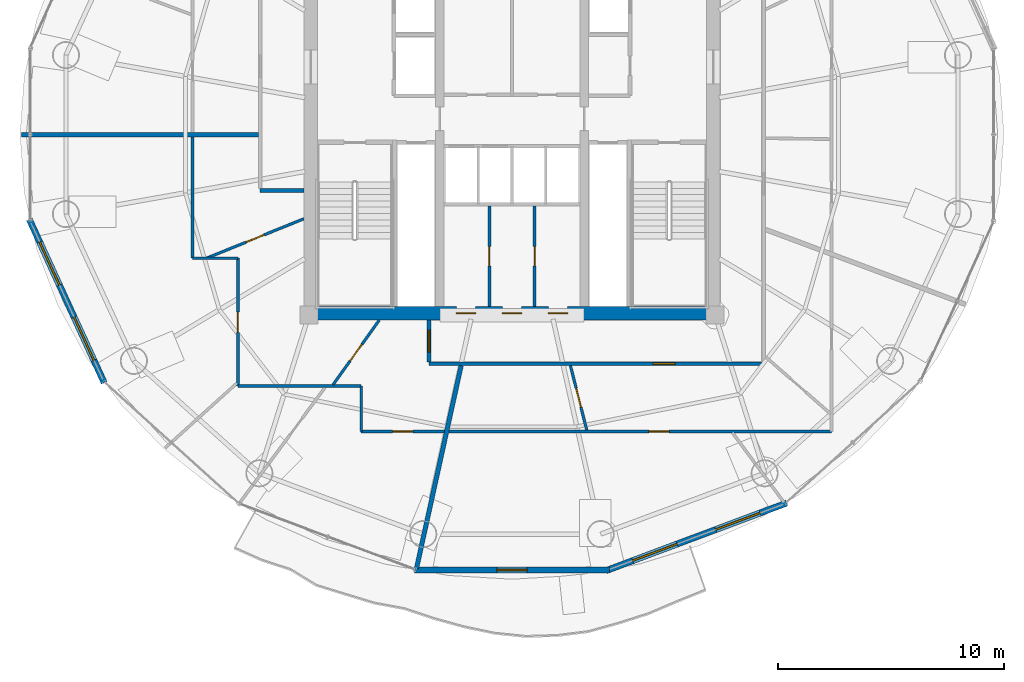
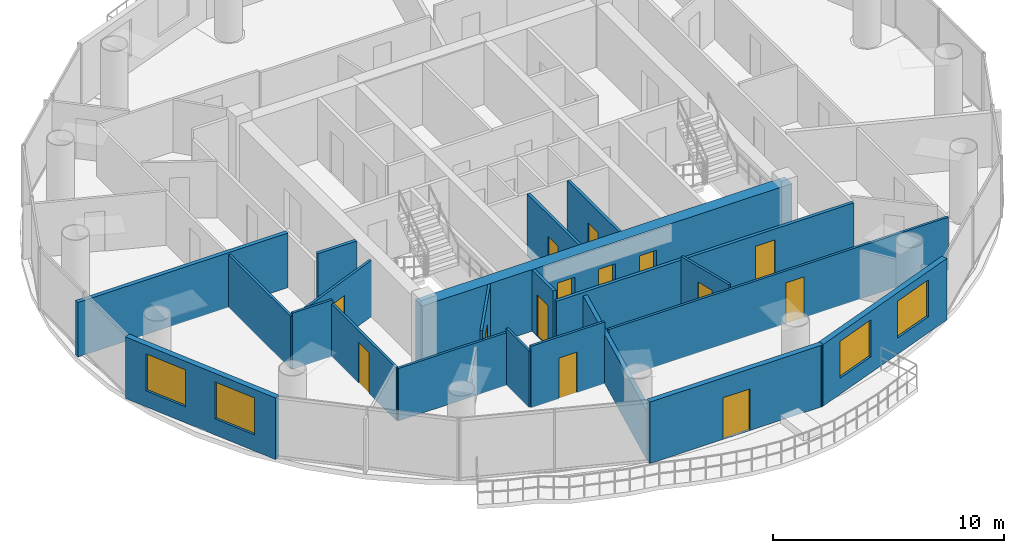
# One storey, part 20 of 26: 21 walls, 14 doors, 4 windows, 18 openings.
"""IFC4 building model written with IfcOpenShell, lengths in metres."""

from ifc_helpers import new_model, si_unit, direction, frame, frame_2d, origin, place, context, subcontext, project, spatial, rectangle, extrude, source, transform, mapped, material, layer, layer_set, type_object, element, fill, save


model = new_model("IFC4")

# Units and contexts
model_context = context("Model", 3, precision=1e-05, world=origin(), true_north=direction((-0.2419218956, 0.970295726276)))
body_context = subcontext(model_context, "Body", "Model", "MODEL_VIEW")
ifc_project = project(units=[si_unit("LENGTHUNIT", "METRE"), si_unit("AREAUNIT", "SQUARE_METRE"), si_unit("VOLUMEUNIT", "CUBIC_METRE"), si_unit("PLANEANGLEUNIT", "RADIAN"), si_unit("MASSUNIT", "GRAM", prefix="KILO")], contexts=[model_context])

# Site, building, storey
site_placement = place(None, origin())
site = spatial("IfcSite", under=ifc_project, at=site_placement, CompositionType="ELEMENT")
building_placement = place(site_placement, origin())
building = spatial("IfcBuilding", under=site, at=building_placement, Name="Cobrevalo Terracotta Tower", CompositionType="ELEMENT")
storey_placement = place(building_placement, frame((0.0, 0.0, 239.300048828125)))
storey = spatial("IfcBuildingStorey", under=building, at=storey_placement, Name="L63", CompositionType="ELEMENT", Elevation=239.300048828125)

# Wall, openings, doors
ifc_material_1 = material(Name="Concrete C55", Category="concrete")
ifc_layer_1 = layer(ifc_material_1, 0.60009765625)
ifc_layer_set_1 = layer_set([ifc_layer_1], Name="Concrete C55")
wall_type_1 = type_object("IfcWallType", Name="Core shear wall 600 mm Concrete C55", PredefinedType="SHEAR", material=ifc_layer_set_1)
wall_1_placement = place(storey_placement, frame((28.77490234375, 18.875, 0.0), z_axis=(0.0, 0.0, 1.0), x_axis=(1.0, 0.0, 0.0)))
wall_1 = element("IfcWall", 1, at=wall_1_placement, inside=storey, type_object=wall_type_1, Name="L63 south core shear wall", PredefinedType="SHEAR", context=body_context, shape_type="SweptSolid", body=[
    extrude(rectangle(XDim=18.4501953125, YDim=0.60009765625, at=frame_2d((9.22509765625, 0.0))), origin(), (0.0, 0.0, 1.0), 3.25),
])
opening_1_placement = place(wall_1_placement, frame((6.760009765625, 0.0, 0.0)))
opening_1 = element("IfcOpeningElement", 2, at=opening_1_placement, cuts=wall_1, Name="Opening ID-22", PredefinedType="OPENING", context=body_context, shape_type="SweptSolid", body=[
    extrude(rectangle(XDim=0.85009765625, YDim=2.10009765625, at=frame_2d((0.425048828125, 1.050048828125))), frame((0.0, 0.31005859375, 0.0), z_axis=(0.0, -1.0, 0.0), x_axis=(1.0, 0.0, 0.0)), (0.0, 0.0, 1.0), 0.6201171875),
])
opening_2_placement = place(wall_1_placement, frame((8.800048828125, 0.0, 0.0)))
opening_2 = element("IfcOpeningElement", 3, at=opening_2_placement, cuts=wall_1, Name="Opening ID-22", PredefinedType="OPENING", context=body_context, shape_type="SweptSolid", body=[
    extrude(rectangle(XDim=0.85009765625, YDim=2.10009765625, at=frame_2d((0.425048828125, 1.050048828125))), frame((0.0, 0.31005859375, 0.0), z_axis=(0.0, -1.0, 0.0), x_axis=(1.0, 0.0, 0.0)), (0.0, 0.0, 1.0), 0.6201171875),
])
opening_3_placement = place(wall_1_placement, frame((10.840087890625, 0.0, 0.0)))
opening_3 = element("IfcOpeningElement", 4, at=opening_3_placement, cuts=wall_1, Name="Opening ID-22", PredefinedType="OPENING", context=body_context, shape_type="SweptSolid", body=[
    extrude(rectangle(XDim=0.85009765625, YDim=2.10009765625, at=frame_2d((0.425048828125, 1.050048828125))), frame((0.0, 0.31005859375, 0.0), z_axis=(0.0, -1.0, 0.0), x_axis=(1.0, 0.0, 0.0)), (0.0, 0.0, 1.0), 0.6201171875),
])
ifc_material_2 = material(Name="Powder-coated steel", Category="steel")
door_type_1 = type_object("IfcDoorType", Name="Riser shaft & meter closet fire access door 850x2100 EI 60", OperationType="NOTDEFINED", PredefinedType="DOOR", material=ifc_material_2)
shared_shape_1 = source(origin(), body_context, "Body", "SweptSolid", [
    extrude(rectangle(XDim=0.85009765625, YDim=2.10009765625, at=frame_2d((0.425048828125, 1.050048828125))), frame((0.0, 0.02490234375, 0.0), z_axis=(0.0, -1.0, 0.0), x_axis=(1.0, 0.0, 0.0)), (0.0, 0.0, 1.0), 0.050048828125),
])
door_1_placement = place(opening_1_placement, origin())
door_1 = element("IfcDoor", 5, at=door_1_placement, inside=storey, type_object=door_type_1, Name="L63 core south plant door HVAC Supply Air Plant", OperationType="SINGLE_SWING_RIGHT", OverallHeight=2.10009765625, OverallWidth=0.85009765625, PredefinedType="DOOR", context=body_context, shape_type="MappedRepresentation", body=[
    mapped(shared_shape_1, transform((0.0, 0.0, 0.0), scale=1.0)),
])
fill(opening_1, door_1)
door_2_placement = place(opening_2_placement, origin())
door_2 = element("IfcDoor", 6, at=door_2_placement, inside=storey, type_object=door_type_1, Name="L63 core south plant door Refuse Chute Store Room", OperationType="SINGLE_SWING_RIGHT", OverallHeight=2.10009765625, OverallWidth=0.85009765625, PredefinedType="DOOR", context=body_context, shape_type="MappedRepresentation", body=[
    mapped(shared_shape_1, transform((0.0, 0.0, 0.0), scale=1.0)),
])
fill(opening_2, door_2)
door_3_placement = place(opening_3_placement, origin())
door_3 = element("IfcDoor", 7, at=door_3_placement, inside=storey, type_object=door_type_1, Name="L63 core south plant door Hydronic Pump Manifold Plant", OperationType="SINGLE_SWING_RIGHT", OverallHeight=2.10009765625, OverallWidth=0.85009765625, PredefinedType="DOOR", context=body_context, shape_type="MappedRepresentation", body=[
    mapped(shared_shape_1, transform((0.0, 0.0, 0.0), scale=1.0)),
])
fill(opening_3, door_3)

# Wall
ifc_material_3 = material(Name="Gypsum board on steel stud", Category="steel")
ifc_layer_2 = layer(ifc_material_3, 0.159912109375)
ifc_layer_set_2 = layer_set([ifc_layer_2], Name="Gypsum board on steel stud")
wall_type_2 = type_object("IfcWallType", Name="Fire-rated corridor acoustic partition wall 160 mm", PredefinedType="PARTITIONING", material=ifc_layer_set_2)
wall_2_placement = place(storey_placement, frame((26.844970703125, 24.320068359375, 0.0), z_axis=(0.0, 0.0, 1.0), x_axis=(1.0, 0.0, 0.0)))
element("IfcWall", 8, at=wall_2_placement, inside=storey, type_object=wall_type_2, Name="L63 interior partition IW-L63-COR-WS-CAP", PredefinedType="PARTITIONING", context=body_context, shape_type="SweptSolid", body=[
    extrude(rectangle(XDim=1.929931640625, YDim=0.159912109375, at=frame_2d((0.96484375, 0.0))), origin(), (0.0, 0.0, 1.0), 3.25),
])

# Wall, opening, door
wall_3_placement = place(storey_placement, frame((34.320068359375, 16.64501953125, 0.0), z_axis=(0.0, 0.0, 1.0), x_axis=(1.0, 0.0, 0.0)))
wall_3 = element("IfcWall", 9, at=wall_3_placement, inside=storey, type_object=wall_type_2, Name="L63 interior partition IW-L63-COR-S", PredefinedType="PARTITIONING", context=body_context, shape_type="SweptSolid", body=[
    extrude(rectangle(XDim=14.8349609375, YDim=0.159912109375, at=frame_2d((7.41748046875, 0.0))), origin(), (0.0, 0.0, 1.0), 2.77490234375),
])
opening_4_placement = place(wall_3_placement, frame((9.927734375, 0.0, 0.0)))
opening_4 = element("IfcOpeningElement", 10, at=opening_4_placement, cuts=wall_3, Name="Opening ID-05", PredefinedType="OPENING", context=body_context, shape_type="SweptSolid", body=[
    extrude(rectangle(XDim=0.97998046875, YDim=2.199951171875, at=frame_2d((0.489990234375, 1.10009765625))), frame((0.0, 0.08984375, 0.0), z_axis=(0.0, -1.0, 0.0), x_axis=(1.0, 0.0, 0.0)), (0.0, 0.0, 1.0), 0.179931640625),
])
ifc_material_4 = material(Name="Solid hardwood timber", Category="wood")
door_type_2 = type_object("IfcDoorType", Name="Residence entrance fire-rated acoustic timber door 980x2200 EI 60", OperationType="NOTDEFINED", PredefinedType="DOOR", material=ifc_material_4)
shared_shape_2 = source(origin(), body_context, "Body", "SweptSolid", [
    extrude(rectangle(XDim=0.97998046875, YDim=2.199951171875, at=frame_2d((0.489990234375, 1.10009765625))), frame((0.0, 0.02490234375, 0.0), z_axis=(0.0, -1.0, 0.0), x_axis=(1.0, 0.0, 0.0)), (0.0, 0.0, 1.0), 0.050048828125),
])
door_4_placement = place(opening_4_placement, frame((0.97998046875, 0.0, 0.0), z_axis=(0.0, 0.0, 1.0), x_axis=(-1.0, 0.0, 0.0)))
door_4 = element("IfcDoor", 11, at=door_4_placement, inside=storey, type_object=door_type_2, Name="Flat L63D fire-rated apartment entrance door", OperationType="SINGLE_SWING_LEFT", OverallHeight=2.199951171875, OverallWidth=0.97998046875, PredefinedType="DOOR", context=body_context, shape_type="MappedRepresentation", body=[
    mapped(shared_shape_2, transform((0.0, 0.0, 0.0), scale=1.0)),
])
fill(opening_4, door_4)

wall_4_placement = place(storey_placement, frame((34.320068359375, 16.72509765625, 0.0), z_axis=(0.0, 0.0, 1.0), x_axis=(0.0, 1.0, 0.0)))
wall_4 = element("IfcWall", 12, at=wall_4_placement, inside=storey, type_object=wall_type_2, Name="L63 interior partition IW-L63-COR-SW-CAP", PredefinedType="PARTITIONING", context=body_context, shape_type="SweptSolid", body=[
    extrude(rectangle(XDim=1.849853515625, YDim=0.159912109375, at=frame_2d((0.9248046875, 0.0))), origin(), (0.0, 0.0, 1.0), 3.25),
])
opening_5_placement = place(wall_4_placement, frame((0.43505859375, 0.0, 0.0)))
opening_5 = element("IfcOpeningElement", 13, at=opening_5_placement, cuts=wall_4, Name="Opening ID-05", PredefinedType="OPENING", context=body_context, shape_type="SweptSolid", body=[
    extrude(rectangle(XDim=0.97998046875, YDim=2.199951171875, at=frame_2d((0.489990234375, 1.10009765625))), frame((0.0, 0.08984375, 0.0), z_axis=(0.0, -1.0, 0.0), x_axis=(1.0, 0.0, 0.0)), (0.0, 0.0, 1.0), 0.179931640625),
])
door_5_placement = place(opening_5_placement, origin())
door_5 = element("IfcDoor", 14, at=door_5_placement, inside=storey, type_object=door_type_2, Name="Flat L63C fire-rated apartment entrance door", OperationType="SINGLE_SWING_LEFT", OverallHeight=2.199951171875, OverallWidth=0.97998046875, PredefinedType="DOOR", context=body_context, shape_type="MappedRepresentation", body=[
    mapped(shared_shape_2, transform((0.0, 0.0, 0.0), scale=1.0)),
])
fill(opening_5, door_5)

# Walls
ifc_material_5 = material(Name="Autoclaved aerated concrete block", Category="concrete")
ifc_layer_3 = layer(ifc_material_5, 0.199951171875)
ifc_layer_set_3 = layer_set([ifc_layer_3], Name="Autoclaved aerated concrete block")
wall_type_3 = type_object("IfcWallType", Name="Fire-rated stair, shaft & demising masonry wall 200 mm", PredefinedType="PARTITIONING", material=ifc_layer_set_3)
wall_5_placement = place(storey_placement, frame((26.764892578125, 26.800048828125, 0.0), z_axis=(0.0, 0.0, 1.0), x_axis=(-1.0, 0.0, 0.0)))
element("IfcWall", 15, at=wall_5_placement, inside=storey, type_object=wall_type_3, Name="L63 interior partition IW-L63-DEM-3", PredefinedType="PARTITIONING", context=body_context, shape_type="SweptSolid", body=[
    extrude(rectangle(XDim=10.5048828125, YDim=0.199951171875, at=frame_2d((5.25244140625, 0.0))), origin(), (0.0, 0.0, 1.0), 2.880859375),
])
wall_6_placement = place(storey_placement, frame((35.7470703125, 16.56494140625, 0.0), z_axis=(0.0, 0.0, 1.0), x_axis=(-0.214957946814, -0.976623305631, 0.0)))
element("IfcWall", 16, at=wall_6_placement, inside=storey, type_object=wall_type_3, Name="L63 interior partition IW-L63-DEM-4", PredefinedType="PARTITIONING", context=body_context, shape_type="SweptSolid", body=[
    extrude(rectangle(XDim=9.201904296875, YDim=0.199951171875, at=frame_2d((4.60107421875, 0.0))), origin(), (0.0, 0.0, 1.0), 2.599853515625),
])

# Wall, openings, windows
ifc_layer_4 = layer(ifc_material_5, 0.280029296875)
ifc_layer_set_4 = layer_set([ifc_layer_4], Name="Autoclaved aerated concrete block")
wall_type_4 = type_object("IfcWallType", Name="Insulated tower spandrel & pier wall 280 mm with terracotta rainscreen", PredefinedType="SOLIDWALL", material=ifc_layer_set_4)
wall_7_placement = place(storey_placement, frame((16.614990234375, 23.035400390625, 0.0), z_axis=(0.0, 0.0, 1.0), x_axis=(0.416717018135, -0.909036262641, 0.0)))
wall_7 = element("IfcWall", 17, at=wall_7_placement, inside=storey, type_object=wall_type_4, Name="L63 terracotta rainscreen pier wall S09", PredefinedType="SOLIDWALL", context=body_context, shape_type="SweptSolid", body=[
    extrude(rectangle(XDim=7.960205078125, YDim=0.280029296875, at=frame_2d((3.97998046875, 0.0))), origin(), (0.0, 0.0, 1.0), 3.25),
])
opening_6_placement = place(wall_7_placement, frame((1.099365234375, 0.0, 0.85009765625)))
opening_6 = element("IfcOpeningElement", 18, at=opening_6_placement, cuts=wall_7, Name="Opening WN-10", PredefinedType="OPENING", context=body_context, shape_type="SweptSolid", body=[
    extrude(rectangle(XDim=2.10009765625, YDim=1.949951171875, at=frame_2d((1.050048828125, 0.97509765625))), frame((0.0, 0.14990234375, 0.0), z_axis=(0.0, -1.0, 0.0), x_axis=(1.0, 0.0, 0.0)), (0.0, 0.0, 1.0), 0.300048828125),
])
opening_7_placement = place(wall_7_placement, frame((4.760986328125, 0.0, 0.85009765625)))
opening_7 = element("IfcOpeningElement", 19, at=opening_7_placement, cuts=wall_7, Name="Opening WN-10", PredefinedType="OPENING", context=body_context, shape_type="SweptSolid", body=[
    extrude(rectangle(XDim=2.10009765625, YDim=1.949951171875, at=frame_2d((1.050048828125, 0.97509765625))), frame((0.0, 0.14990234375, 0.0), z_axis=(0.0, -1.0, 0.0), x_axis=(1.0, 0.0, 0.0)), (0.0, 0.0, 1.0), 0.300048828125),
])
ifc_material_6 = material(Name="Solar-control low-E double glazing", Category="glass")
window_type = type_object("IfcWindowType", Name="Wide panoramic low-E aluminium window 2100x1950", PartitioningType="SINGLE_PANEL", PredefinedType="WINDOW", material=ifc_material_6)
shared_shape_3 = source(origin(), body_context, "Body", "SweptSolid", [
    extrude(rectangle(XDim=2.10009765625, YDim=1.949951171875, at=frame_2d((1.050048828125, 0.97509765625))), frame((0.0, 0.030029296875, 0.0), z_axis=(0.0, -1.0, 0.0), x_axis=(1.0, 0.0, 0.0)), (0.0, 0.0, 1.0), 0.06005859375),
])
window_1_placement = place(opening_6_placement, origin())
window_1 = element("IfcWindow", 20, at=window_1_placement, inside=storey, type_object=window_type, Name="L63 suite window S09A", OverallHeight=1.949951171875, OverallWidth=2.10009765625, PartitioningType="SINGLE_PANEL", PredefinedType="WINDOW", context=body_context, shape_type="MappedRepresentation", body=[
    mapped(shared_shape_3, transform((0.0, 0.0, 0.0), scale=1.0)),
])
fill(opening_6, window_1)
window_2_placement = place(opening_7_placement, origin())
window_2 = element("IfcWindow", 21, at=window_2_placement, inside=storey, type_object=window_type, Name="L63 suite window S09B", OverallHeight=1.949951171875, OverallWidth=2.10009765625, PartitioningType="SINGLE_PANEL", PredefinedType="WINDOW", context=body_context, shape_type="MappedRepresentation", body=[
    mapped(shared_shape_3, transform((0.0, 0.0, 0.0), scale=1.0)),
])
fill(opening_7, window_2)

wall_8_placement = place(storey_placement, frame((42.172119140625, 7.47998046875, 0.0), z_axis=(0.0, 0.0, 1.0), x_axis=(0.936556918375, 0.350515532672, 0.0)))
wall_8 = element("IfcWall", 22, at=wall_8_placement, inside=storey, type_object=wall_type_4, Name="L63 terracotta rainscreen pier wall S13", PredefinedType="SOLIDWALL", context=body_context, shape_type="SweptSolid", body=[
    extrude(rectangle(XDim=8.539306640625, YDim=0.280029296875, at=frame_2d((4.26953125, 0.0))), origin(), (0.0, 0.0, 1.0), 3.25),
])
opening_8_placement = place(wall_8_placement, frame((1.255615234375, 0.0, 0.85009765625)))
opening_8 = element("IfcOpeningElement", 23, at=opening_8_placement, cuts=wall_8, Name="Opening WN-10", PredefinedType="OPENING", context=body_context, shape_type="SweptSolid", body=[
    extrude(rectangle(XDim=2.10009765625, YDim=1.949951171875, at=frame_2d((1.050048828125, 0.97509765625))), frame((0.0, 0.14990234375, 0.0), z_axis=(0.0, -1.0, 0.0), x_axis=(1.0, 0.0, 0.0)), (0.0, 0.0, 1.0), 0.300048828125),
])
opening_9_placement = place(wall_8_placement, frame((5.18359375, 0.0, 0.85009765625)))
opening_9 = element("IfcOpeningElement", 24, at=opening_9_placement, cuts=wall_8, Name="Opening WN-10", PredefinedType="OPENING", context=body_context, shape_type="SweptSolid", body=[
    extrude(rectangle(XDim=2.10009765625, YDim=1.949951171875, at=frame_2d((1.050048828125, 0.97509765625))), frame((0.0, 0.14990234375, 0.0), z_axis=(0.0, -1.0, 0.0), x_axis=(1.0, 0.0, 0.0)), (0.0, 0.0, 1.0), 0.300048828125),
])
window_3_placement = place(opening_8_placement, origin())
window_3 = element("IfcWindow", 25, at=window_3_placement, inside=storey, type_object=window_type, Name="L63 suite window S13A", OverallHeight=1.949951171875, OverallWidth=2.10009765625, PartitioningType="SINGLE_PANEL", PredefinedType="WINDOW", context=body_context, shape_type="MappedRepresentation", body=[
    mapped(shared_shape_3, transform((0.0, 0.0, 0.0), scale=1.0)),
])
fill(opening_8, window_3)
window_4_placement = place(opening_9_placement, origin())
window_4 = element("IfcWindow", 26, at=window_4_placement, inside=storey, type_object=window_type, Name="L63 suite window S13B", OverallHeight=1.949951171875, OverallWidth=2.10009765625, PartitioningType="SINGLE_PANEL", PredefinedType="WINDOW", context=body_context, shape_type="MappedRepresentation", body=[
    mapped(shared_shape_3, transform((0.0, 0.0, 0.0), scale=1.0)),
])
fill(opening_9, window_4)

# Wall, opening, door
ifc_layer_5 = layer(ifc_material_5, 0.139892578125)
ifc_layer_set_5 = layer_set([ifc_layer_5], Name="Autoclaved aerated concrete block")
wall_type_5 = type_object("IfcWallType", Name="Moisture-resistant wet-room & core service partition 140 mm", PredefinedType="PARTITIONING", material=ifc_layer_set_5)
wall_9_placement = place(storey_placement, frame((37.0, 19.175048828125, 0.0), z_axis=(0.0, 0.0, 1.0), x_axis=(0.0, 1.0, 0.0)))
wall_9 = element("IfcWall", 27, at=wall_9_placement, inside=storey, type_object=wall_type_5, Name="L63 interior partition IW-L63-KVS-V1", PredefinedType="PARTITIONING", context=body_context, shape_type="SweptSolid", body=[
    extrude(rectangle(XDim=4.46484375, YDim=0.139892578125, at=frame_2d((2.232421875, 0.0))), origin(), (0.0, 0.0, 1.0), 3.25),
])
opening_10_placement = place(wall_9_placement, frame((1.8076171875, 0.0, 0.0)))
opening_10 = element("IfcOpeningElement", 28, at=opening_10_placement, cuts=wall_9, Name="Opening ID-22", PredefinedType="OPENING", context=body_context, shape_type="SweptSolid", body=[
    extrude(rectangle(XDim=0.85009765625, YDim=2.10009765625, at=frame_2d((0.425048828125, 1.050048828125))), frame((0.0, 0.080078125, 0.0), z_axis=(0.0, -1.0, 0.0), x_axis=(1.0, 0.0, 0.0)), (0.0, 0.0, 1.0), 0.159912109375),
])
door_6_placement = place(opening_10_placement, origin())
door_6 = element("IfcDoor", 29, at=door_6_placement, inside=storey, type_object=door_type_1, Name="L63 core KVS-V1 inner door", OperationType="SINGLE_SWING_LEFT", OverallHeight=2.10009765625, OverallWidth=0.85009765625, PredefinedType="DOOR", context=body_context, shape_type="MappedRepresentation", body=[
    mapped(shared_shape_1, transform((0.0, 0.0, 0.0), scale=1.0)),
])
fill(opening_10, door_6)

wall_10_placement = place(storey_placement, frame((39.0, 19.175048828125, 0.0), z_axis=(0.0, 0.0, 1.0), x_axis=(0.0, 1.0, 0.0)))
wall_10 = element("IfcWall", 30, at=wall_10_placement, inside=storey, type_object=wall_type_5, Name="L63 interior partition IW-L63-KVS-V2", PredefinedType="PARTITIONING", context=body_context, shape_type="SweptSolid", body=[
    extrude(rectangle(XDim=4.46484375, YDim=0.139892578125, at=frame_2d((2.232421875, 0.0))), origin(), (0.0, 0.0, 1.0), 3.25),
])
opening_11_placement = place(wall_10_placement, frame((1.8076171875, 0.0, 0.0)))
opening_11 = element("IfcOpeningElement", 31, at=opening_11_placement, cuts=wall_10, Name="Opening ID-22", PredefinedType="OPENING", context=body_context, shape_type="SweptSolid", body=[
    extrude(rectangle(XDim=0.85009765625, YDim=2.10009765625, at=frame_2d((0.425048828125, 1.050048828125))), frame((0.0, 0.080078125, 0.0), z_axis=(0.0, -1.0, 0.0), x_axis=(1.0, 0.0, 0.0)), (0.0, 0.0, 1.0), 0.159912109375),
])
door_7_placement = place(opening_11_placement, origin())
door_7 = element("IfcDoor", 32, at=door_7_placement, inside=storey, type_object=door_type_1, Name="L63 core KVS-V2 inner door", OperationType="SINGLE_SWING_LEFT", OverallHeight=2.10009765625, OverallWidth=0.85009765625, PredefinedType="DOOR", context=body_context, shape_type="MappedRepresentation", body=[
    mapped(shared_shape_1, transform((0.0, 0.0, 0.0), scale=1.0)),
])
fill(opening_11, door_7)

ifc_layer_6 = layer(ifc_material_5, 0.260009765625)
ifc_layer_set_6 = layer_set([ifc_layer_6], Name="Autoclaved aerated concrete block")
wall_type_6 = type_object("IfcWallType", Name="Recessed balcony loggia insulated exterior wall 260 mm", PredefinedType="SOLIDWALL", material=ifc_layer_set_6)
wall_11_placement = place(storey_placement, frame((33.6728515625, 7.508056640625, 0.0), z_axis=(0.0, 0.0, 1.0), x_axis=(1.0, 0.0, 0.0)))
wall_11 = element("IfcWall", 33, at=wall_11_placement, inside=storey, type_object=wall_type_6, Name="L63 balcony loggia wall S12", PredefinedType="SOLIDWALL", context=body_context, shape_type="SweptSolid", body=[
    extrude(rectangle(XDim=8.654296875, YDim=0.260009765625, at=frame_2d((4.3271484375, 0.0))), origin(), (0.0, 0.0, 1.0), 3.25),
])
opening_12_placement = place(wall_11_placement, frame((3.652099609375, 0.0, 0.0)))
opening_12 = element("IfcOpeningElement", 34, at=opening_12_placement, cuts=wall_11, Name="Opening ED-05", PredefinedType="OPENING", context=body_context, shape_type="SweptSolid", body=[
    extrude(rectangle(XDim=1.35009765625, YDim=2.199951171875, at=frame_2d((0.675048828125, 1.10009765625))), frame((0.0, 0.14013671875, 0.0), z_axis=(0.0, -1.0, 0.0), x_axis=(1.0, 0.0, 0.0)), (0.0, 0.0, 1.0), 0.280029296875),
])
ifc_material_7 = material(Name="Anodized aluminium and laminated glass", Category="aluminium")
door_type_3 = type_object("IfcDoorType", Name="Suite balcony acoustic glazed terrace door 1350x2200", OperationType="NOTDEFINED", PredefinedType="DOOR", material=ifc_material_7)
shared_shape_4 = source(origin(), body_context, "Body", "SweptSolid", [
    extrude(rectangle(XDim=1.35009765625, YDim=2.199951171875, at=frame_2d((0.675048828125, 1.10009765625))), frame((0.0, 0.02490234375, 0.0), z_axis=(0.0, -1.0, 0.0), x_axis=(1.0, 0.0, 0.0)), (0.0, 0.0, 1.0), 0.050048828125),
])
door_8_placement = place(opening_12_placement, frame((1.35009765625, 0.0, 0.0), z_axis=(0.0, 0.0, 1.0), x_axis=(-1.0, 0.0, 0.0)))
door_8 = element("IfcDoor", 35, at=door_8_placement, inside=storey, type_object=door_type_3, Name="L63 glazed balcony terrace door 2", OperationType="SINGLE_SWING_RIGHT", OverallHeight=2.199951171875, OverallWidth=1.35009765625, PredefinedType="DOOR", context=body_context, shape_type="MappedRepresentation", body=[
    mapped(shared_shape_4, transform((0.0, 0.0, 0.0), scale=1.0)),
])
fill(opening_12, door_8)

ifc_layer_7 = layer(ifc_material_3, 0.1201171875)
ifc_layer_set_7 = layer_set([ifc_layer_7], Name="Gypsum board on steel stud")
wall_type_7 = type_object("IfcWallType", Name="Residential internal acoustic stud partition 120 mm", PredefinedType="PARTITIONING", material=ifc_layer_set_7)
wall_12_placement = place(storey_placement, frame((35.00244140625, 13.64501953125, 0.0), z_axis=(0.0, 0.0, 1.0), x_axis=(-1.0, 0.0, 0.0)))
wall_12 = element("IfcWall", 36, at=wall_12_placement, inside=storey, type_object=wall_type_7, Name="L63 interior partition IW-L63-U3-RING0_0", PredefinedType="PARTITIONING", context=body_context, shape_type="SweptSolid", body=[
    extrude(rectangle(XDim=3.682373046875, YDim=0.1201171875, at=frame_2d((1.84130859375, 0.0))), origin(), (0.0, 0.0, 1.0), 3.25),
])
opening_13_placement = place(wall_12_placement, frame((1.39111328125, 0.0, 0.0)))
opening_13 = element("IfcOpeningElement", 37, at=opening_13_placement, cuts=wall_12, Name="Opening ID-12", PredefinedType="OPENING", context=body_context, shape_type="SweptSolid", body=[
    extrude(rectangle(XDim=0.89990234375, YDim=2.14990234375, at=frame_2d((0.449951171875, 1.074951171875))), frame((0.0, 0.070068359375, 0.0), z_axis=(0.0, -1.0, 0.0), x_axis=(1.0, 0.0, 0.0)), (0.0, 0.0, 1.0), 0.14013671875),
])
ifc_material_8 = material(Name="Engineered timber", Category="wood")
door_type_4 = type_object("IfcDoorType", Name="Internal residence & suite timber door 900x2150", OperationType="NOTDEFINED", PredefinedType="DOOR", material=ifc_material_8)
shared_shape_5 = source(origin(), body_context, "Body", "SweptSolid", [
    extrude(rectangle(XDim=0.89990234375, YDim=2.14990234375, at=frame_2d((0.449951171875, 1.074951171875))), frame((0.0, 0.02490234375, 0.0), z_axis=(0.0, -1.0, 0.0), x_axis=(1.0, 0.0, 0.0)), (0.0, 0.0, 1.0), 0.050048828125),
])
door_9_placement = place(opening_13_placement, origin())
door_9 = element("IfcDoor", 38, at=door_9_placement, inside=storey, type_object=door_type_4, Name="Flat L63C Penthouse Family Lounge internal door", OperationType="SINGLE_SWING_RIGHT", OverallHeight=2.14990234375, OverallWidth=0.89990234375, PredefinedType="DOOR", context=body_context, shape_type="MappedRepresentation", body=[
    mapped(shared_shape_5, transform((0.0, 0.0, 0.0), scale=1.0)),
])
fill(opening_13, door_9)

# Walls
wall_13_placement = place(storey_placement, frame((31.320068359375, 13.64501953125, 0.0), z_axis=(0.0, 0.0, 1.0), x_axis=(0.0, 1.0, 0.0)))
element("IfcWall", 39, at=wall_13_placement, inside=storey, type_object=wall_type_7, Name="L63 interior partition IW-L63-U3-RING1_0", PredefinedType="PARTITIONING", context=body_context, shape_type="SweptSolid", body=[
    extrude(rectangle(XDim=2.010009765625, YDim=0.1201171875, at=frame_2d((1.0048828125, 0.0))), origin(), (0.0, 0.0, 1.0), 2.968994140625),
])
wall_14_placement = place(storey_placement, frame((31.320068359375, 15.655029296875, 0.0), z_axis=(0.0, 0.0, 1.0), x_axis=(-1.0, 0.0, 0.0)))
element("IfcWall", 40, at=wall_14_placement, inside=storey, type_object=wall_type_7, Name="L63 interior partition IW-L63-U3-RING2_0", PredefinedType="PARTITIONING", context=body_context, shape_type="SweptSolid", body=[
    extrude(rectangle(XDim=5.465087890625, YDim=0.1201171875, at=frame_2d((2.732421875, 0.0))), origin(), (0.0, 0.0, 1.0), 2.77490234375),
])

# Wall, opening, door
wall_15_placement = place(storey_placement, frame((25.85498046875, 15.655029296875, 0.0), z_axis=(0.0, 0.0, 1.0), x_axis=(0.0, 1.0, 0.0)))
wall_15 = element("IfcWall", 41, at=wall_15_placement, inside=storey, type_object=wall_type_7, Name="L63 interior partition IW-L63-U3-RING3_0", PredefinedType="PARTITIONING", context=body_context, shape_type="SweptSolid", body=[
    extrude(rectangle(XDim=5.6650390625, YDim=0.1201171875, at=frame_2d((2.83251953125, 0.0))), origin(), (0.0, 0.0, 1.0), 2.77490234375),
])
opening_14_placement = place(wall_15_placement, frame((2.382568359375, 0.0, 0.0)))
opening_14 = element("IfcOpeningElement", 42, at=opening_14_placement, cuts=wall_15, Name="Opening ID-12", PredefinedType="OPENING", context=body_context, shape_type="SweptSolid", body=[
    extrude(rectangle(XDim=0.89990234375, YDim=2.14990234375, at=frame_2d((0.449951171875, 1.074951171875))), frame((0.0, 0.070068359375, 0.0), z_axis=(0.0, -1.0, 0.0), x_axis=(1.0, 0.0, 0.0)), (0.0, 0.0, 1.0), 0.14013671875),
])
door_10_placement = place(opening_14_placement, origin())
door_10 = element("IfcDoor", 43, at=door_10_placement, inside=storey, type_object=door_type_4, Name="Flat L63C Penthouse Living and Dining Room internal door", OperationType="SINGLE_SWING_RIGHT", OverallHeight=2.14990234375, OverallWidth=0.89990234375, PredefinedType="DOOR", context=body_context, shape_type="MappedRepresentation", body=[
    mapped(shared_shape_5, transform((0.0, 0.0, 0.0), scale=1.0)),
])
fill(opening_14, door_10)

# Walls
wall_16_placement = place(storey_placement, frame((25.85498046875, 21.320068359375, 0.0), z_axis=(0.0, 0.0, 1.0), x_axis=(-1.0, 0.0, 0.0)))
element("IfcWall", 44, at=wall_16_placement, inside=storey, type_object=wall_type_7, Name="L63 interior partition IW-L63-U3-RING4_0", PredefinedType="PARTITIONING", context=body_context, shape_type="SweptSolid", body=[
    extrude(rectangle(XDim=2.010009765625, YDim=0.1201171875, at=frame_2d((1.0048828125, 0.0))), origin(), (0.0, 0.0, 1.0), 2.968994140625),
])
wall_17_placement = place(storey_placement, frame((23.844970703125, 21.320068359375, 0.0), z_axis=(0.0, 0.0, 1.0), x_axis=(0.0, 1.0, 0.0)))
element("IfcWall", 45, at=wall_17_placement, inside=storey, type_object=wall_type_7, Name="L63 interior partition IW-L63-U3-RING5_0", PredefinedType="PARTITIONING", context=body_context, shape_type="SweptSolid", body=[
    extrude(rectangle(XDim=5.3779296875, YDim=0.1201171875, at=frame_2d((2.68896484375, 0.0))), origin(), (0.0, 0.0, 1.0), 2.77490234375),
])

# Wall, opening, door
wall_18_placement = place(storey_placement, frame((28.77490234375, 23.066650390625, 0.0), z_axis=(0.0, 0.0, 1.0), x_axis=(-0.926979373422, -0.375112304851, 0.0)))
wall_18 = element("IfcWall", 46, at=wall_18_placement, inside=storey, type_object=wall_type_7, Name="L63 interior partition IW-L63-U3-IRAD1", PredefinedType="PARTITIONING", context=body_context, shape_type="SweptSolid", body=[
    extrude(rectangle(XDim=4.65625, YDim=0.1201171875, at=frame_2d((2.328125, 0.0))), origin(), (0.0, 0.0, 1.0), 2.968994140625),
])
opening_15_placement = place(wall_18_placement, frame((1.898193359375, 0.0, 0.0)))
opening_15 = element("IfcOpeningElement", 47, at=opening_15_placement, cuts=wall_18, Name="Opening ID-19", PredefinedType="OPENING", context=body_context, shape_type="SweptSolid", body=[
    extrude(rectangle(XDim=0.860107421875, YDim=2.14990234375, at=frame_2d((0.43017578125, 1.074951171875))), frame((0.0, 0.070068359375, 0.0), z_axis=(0.0, -1.0, 0.0), x_axis=(1.0, 0.0, 0.0)), (0.0, 0.0, 1.0), 0.14013671875),
])
ifc_material_9 = material(Name="Moisture-sealed timber", Category="wood")
door_type_5 = type_object("IfcDoorType", Name="Suite bathroom internal timber door 860x2150", OperationType="NOTDEFINED", PredefinedType="DOOR", material=ifc_material_9)
shared_shape_6 = source(origin(), body_context, "Body", "SweptSolid", [
    extrude(rectangle(XDim=0.860107421875, YDim=2.14990234375, at=frame_2d((0.43017578125, 1.074951171875))), frame((0.0, 0.02490234375, 0.0), z_axis=(0.0, -1.0, 0.0), x_axis=(1.0, 0.0, 0.0)), (0.0, 0.0, 1.0), 0.050048828125),
])
door_11_placement = place(opening_15_placement, frame((0.860107421875, 0.0, 0.0), z_axis=(0.0, 0.0, 1.0), x_axis=(-1.0, 0.0, 0.0)))
door_11 = element("IfcDoor", 48, at=door_11_placement, inside=storey, type_object=door_type_5, Name="Flat L63C Primary Bathroom internal door", OperationType="SINGLE_SWING_LEFT", OverallHeight=2.14990234375, OverallWidth=0.860107421875, PredefinedType="DOOR", context=body_context, shape_type="MappedRepresentation", body=[
    mapped(shared_shape_6, transform((0.0, 0.0, 0.0), scale=1.0)),
])
fill(opening_15, door_11)

wall_19_placement = place(storey_placement, frame((32.11669921875, 18.574951171875, 0.0), z_axis=(0.0, 0.0, 1.0), x_axis=(-0.581800974427, -0.81333119094, 0.0)))
wall_19 = element("IfcWall", 49, at=wall_19_placement, inside=storey, type_object=wall_type_7, Name="L63 interior partition IW-L63-U3-IRAD2", PredefinedType="PARTITIONING", context=body_context, shape_type="SweptSolid", body=[
    extrude(rectangle(XDim=3.5283203125, YDim=0.1201171875, at=frame_2d((1.76416015625, 0.0))), origin(), (0.0, 0.0, 1.0), 3.25),
])
opening_16_placement = place(wall_19_placement, frame((1.314208984375, 0.0, 0.0)))
opening_16 = element("IfcOpeningElement", 50, at=opening_16_placement, cuts=wall_19, Name="Opening ID-12", PredefinedType="OPENING", context=body_context, shape_type="SweptSolid", body=[
    extrude(rectangle(XDim=0.89990234375, YDim=2.14990234375, at=frame_2d((0.449951171875, 1.074951171875))), frame((0.0, 0.070068359375, 0.0), z_axis=(0.0, -1.0, 0.0), x_axis=(1.0, 0.0, 0.0)), (0.0, 0.0, 1.0), 0.14013671875),
])
door_12_placement = place(opening_16_placement, frame((0.89990234375, 0.0, 0.0), z_axis=(0.0, 0.0, 1.0), x_axis=(-1.0, 0.0, 0.0)))
door_12 = element("IfcDoor", 51, at=door_12_placement, inside=storey, type_object=door_type_4, Name="Flat L63C Reception Hallway internal door", OperationType="SINGLE_SWING_LEFT", OverallHeight=2.14990234375, OverallWidth=0.89990234375, PredefinedType="DOOR", context=body_context, shape_type="MappedRepresentation", body=[
    mapped(shared_shape_5, transform((0.0, 0.0, 0.0), scale=1.0)),
])
fill(opening_16, door_12)

wall_20_placement = place(storey_placement, frame((52.155029296875, 13.64501953125, 0.0), z_axis=(0.0, 0.0, 1.0), x_axis=(-1.0, 0.0, 0.0)))
wall_20 = element("IfcWall", 52, at=wall_20_placement, inside=storey, type_object=wall_type_7, Name="L63 interior partition IW-L63-U4-RING1_0", PredefinedType="PARTITIONING", context=body_context, shape_type="SweptSolid", body=[
    extrude(rectangle(XDim=16.94873046875, YDim=0.1201171875, at=frame_2d((8.474365234375, 0.0))), origin(), (0.0, 0.0, 1.0), 2.77490234375),
])
opening_17_placement = place(wall_20_placement, frame((7.1923828125, 0.0, 0.0)))
opening_17 = element("IfcOpeningElement", 53, at=opening_17_placement, cuts=wall_20, Name="Opening ID-12", PredefinedType="OPENING", context=body_context, shape_type="SweptSolid", body=[
    extrude(rectangle(XDim=0.89990234375, YDim=2.14990234375, at=frame_2d((0.449951171875, 1.074951171875))), frame((0.0, 0.070068359375, 0.0), z_axis=(0.0, -1.0, 0.0), x_axis=(1.0, 0.0, 0.0)), (0.0, 0.0, 1.0), 0.14013671875),
])
door_13_placement = place(opening_17_placement, origin())
door_13 = element("IfcDoor", 54, at=door_13_placement, inside=storey, type_object=door_type_4, Name="Flat L63D Living and Dining Room internal door", OperationType="SINGLE_SWING_LEFT", OverallHeight=2.14990234375, OverallWidth=0.89990234375, PredefinedType="DOOR", context=body_context, shape_type="MappedRepresentation", body=[
    mapped(shared_shape_5, transform((0.0, 0.0, 0.0), scale=1.0)),
])
fill(opening_17, door_13)

wall_21_placement = place(storey_placement, frame((40.588623046875, 16.56494140625, 0.0), z_axis=(0.0, 0.0, 1.0), x_axis=(0.245222005641, -0.969466950416, 0.0)))
wall_21 = element("IfcWall", 55, at=wall_21_placement, inside=storey, type_object=wall_type_7, Name="L63 interior partition IW-L63-U4-IRAD1", PredefinedType="PARTITIONING", context=body_context, shape_type="SweptSolid", body=[
    extrude(rectangle(XDim=2.949951171875, YDim=0.1201171875, at=frame_2d((1.47509765625, 0.0))), origin(), (0.0, 0.0, 1.0), 2.968994140625),
])
opening_18_placement = place(wall_21_placement, frame((1.044921875, 0.0, 0.0)))
opening_18 = element("IfcOpeningElement", 56, at=opening_18_placement, cuts=wall_21, Name="Opening ID-19", PredefinedType="OPENING", context=body_context, shape_type="SweptSolid", body=[
    extrude(rectangle(XDim=0.860107421875, YDim=2.14990234375, at=frame_2d((0.43017578125, 1.074951171875))), frame((0.0, 0.070068359375, 0.0), z_axis=(0.0, -1.0, 0.0), x_axis=(1.0, 0.0, 0.0)), (0.0, 0.0, 1.0), 0.14013671875),
])
door_14_placement = place(opening_18_placement, frame((0.860107421875, 0.0, 0.0), z_axis=(0.0, 0.0, 1.0), x_axis=(-1.0, 0.0, 0.0)))
door_14 = element("IfcDoor", 57, at=door_14_placement, inside=storey, type_object=door_type_5, Name="Flat L63D Primary Bathroom internal door", OperationType="SINGLE_SWING_RIGHT", OverallHeight=2.14990234375, OverallWidth=0.860107421875, PredefinedType="DOOR", context=body_context, shape_type="MappedRepresentation", body=[
    mapped(shared_shape_6, transform((0.0, 0.0, 0.0), scale=1.0)),
])
fill(opening_18, door_14)

save(model, "model.ifc")
